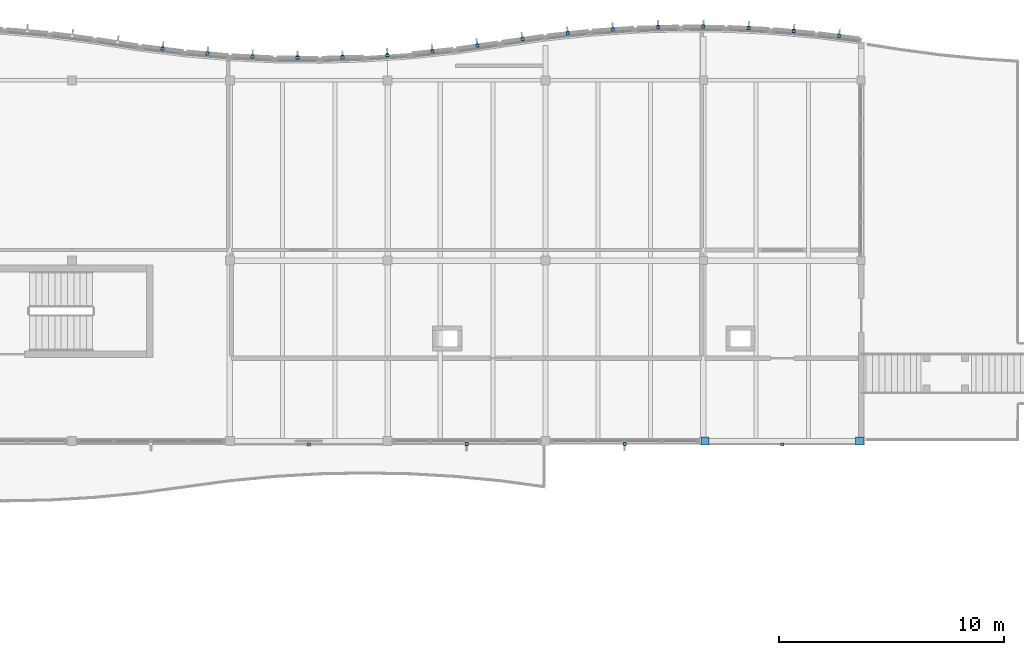
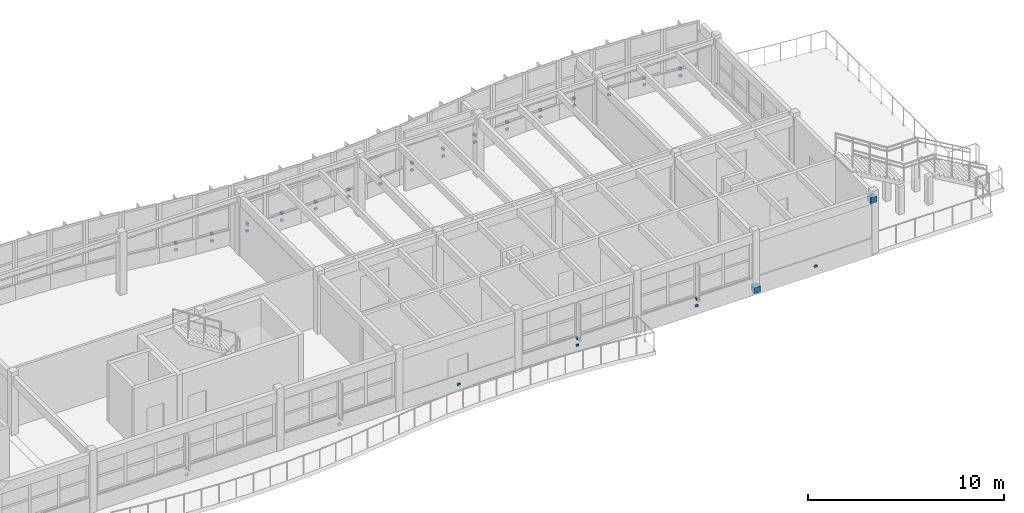
# One storey, part 41 of 52: 40 discrete accessories.
"""IFC4 building model written with IfcOpenShell, lengths in metres."""

from ifc_helpers import new_model, si_unit, direction, frame, origin, origin_2d, place, context, subcontext, project, spatial, rectangle, extrude, material, type_object, element, save


model = new_model("IFC4")

# Units and contexts
model_context = context("Model", 3, precision=1e-05, world=origin(), true_north=direction((0.0, 1.0)))
body_context = subcontext(model_context, "Body", "Model", "MODEL_VIEW")
ifc_project = project(units=[si_unit("LENGTHUNIT", "METRE"), si_unit("AREAUNIT", "SQUARE_METRE"), si_unit("VOLUMEUNIT", "CUBIC_METRE"), si_unit("PLANEANGLEUNIT", "RADIAN"), si_unit("MASSUNIT", "GRAM", prefix="KILO")], contexts=[model_context])

# Site, building, storey
site_placement = place(None, origin())
site = spatial("IfcSite", under=ifc_project, at=site_placement, CompositionType="ELEMENT")
building_placement = place(site_placement, origin())
building = spatial("IfcBuilding", under=site, at=building_placement, Name="Tonlespit Floodbar School", CompositionType="ELEMENT")
storey_placement = place(building_placement, frame((0.0, 0.0, 12.300048828125)))
storey = spatial("IfcBuildingStorey", under=building, at=storey_placement, Name="L03", CompositionType="ELEMENT", Elevation=12.300048828125)

# Discrete accessories
ifc_material_1 = material(Name="Galvanised Steel", Category="steel")
discrete_accessory_type_1 = type_object("IfcDiscreteAccessoryType", Name="Bracket_Facade_S355", PredefinedType="BRACKET", material=ifc_material_1)
discrete_accessory_1_placement = place(storey_placement, frame((131.016357421875, 121.397216796875, 0.35498046875), z_axis=(0.0, 0.0, 1.0), x_axis=(0.99215533612, -0.125011155539, 0.0)))
element("IfcDiscreteAccessory", 1, at=discrete_accessory_1_placement, inside=storey, type_object=discrete_accessory_type_1, Name="L03 white band support bracket 0704", PredefinedType="BRACKET", context=body_context, shape_type="SweptSolid", body=[
    extrude(rectangle(XDim=0.159912109375, YDim=0.1201171875, at=origin_2d()), origin(), (0.0, 0.0, 1.0), 0.1201171875),
])
discrete_accessory_2_placement = place(storey_placement, frame((131.017578125, 121.4072265625, 0.77978515625), z_axis=(0.0, 0.0, 1.0), x_axis=(0.99215533612, -0.125011155539, 0.0)))
element("IfcDiscreteAccessory", 2, at=discrete_accessory_2_placement, inside=storey, type_object=discrete_accessory_type_1, Name="Solar fin support bracket 305", PredefinedType="BRACKET", context=body_context, shape_type="SweptSolid", body=[
    extrude(rectangle(XDim=0.1201171875, YDim=0.179931640625, at=origin_2d()), origin(), (0.0, 0.0, 1.0), 0.139892578125),
])
discrete_accessory_3_placement = place(storey_placement, frame((133.01123046875, 121.184814453125, 0.35498046875), z_axis=(0.0, 0.0, 1.0), x_axis=(0.996245486492, -0.086573267488, 0.0)))
element("IfcDiscreteAccessory", 3, at=discrete_accessory_3_placement, inside=storey, type_object=discrete_accessory_type_1, Name="L03 white band support bracket 0705", PredefinedType="BRACKET", context=body_context, shape_type="SweptSolid", body=[
    extrude(rectangle(XDim=0.159912109375, YDim=0.1201171875, at=origin_2d()), origin(), (0.0, 0.0, 1.0), 0.1201171875),
])
discrete_accessory_4_placement = place(storey_placement, frame((133.01220703125, 121.19482421875, 0.77978515625), z_axis=(0.0, 0.0, 1.0), x_axis=(0.996245486492, -0.086573267488, 0.0)))
element("IfcDiscreteAccessory", 4, at=discrete_accessory_4_placement, inside=storey, type_object=discrete_accessory_type_1, Name="Solar fin support bracket 306", PredefinedType="BRACKET", context=body_context, shape_type="SweptSolid", body=[
    extrude(rectangle(XDim=0.1201171875, YDim=0.179931640625, at=origin_2d()), origin(), (0.0, 0.0, 1.0), 0.139892578125),
])
discrete_accessory_5_placement = place(storey_placement, frame((135.00634765625, 121.05029296875, 0.35498046875), z_axis=(0.0, 0.0, 1.0), x_axis=(0.998842769234, -0.048094930587, 0.0)))
element("IfcDiscreteAccessory", 5, at=discrete_accessory_5_placement, inside=storey, type_object=discrete_accessory_type_1, Name="L03 white band support bracket 0706", PredefinedType="BRACKET", context=body_context, shape_type="SweptSolid", body=[
    extrude(rectangle(XDim=0.159912109375, YDim=0.1201171875, at=origin_2d()), origin(), (0.0, 0.0, 1.0), 0.1201171875),
])
discrete_accessory_6_placement = place(storey_placement, frame((135.006591796875, 121.060302734375, 0.77978515625), z_axis=(0.0, 0.0, 1.0), x_axis=(0.998842769234, -0.048094930587, 0.0)))
element("IfcDiscreteAccessory", 6, at=discrete_accessory_6_placement, inside=storey, type_object=discrete_accessory_type_1, Name="Solar fin support bracket 307", PredefinedType="BRACKET", context=body_context, shape_type="SweptSolid", body=[
    extrude(rectangle(XDim=0.1201171875, YDim=0.179931640625, at=origin_2d()), origin(), (0.0, 0.0, 1.0), 0.139892578125),
])
discrete_accessory_7_placement = place(storey_placement, frame((137.001220703125, 120.99267578125, 0.35498046875), z_axis=(0.0, 0.0, 1.0), x_axis=(0.999953926969, -0.009599163462, 0.0)))
element("IfcDiscreteAccessory", 7, at=discrete_accessory_7_placement, inside=storey, type_object=discrete_accessory_type_1, Name="L03 white band support bracket 0707", PredefinedType="BRACKET", context=body_context, shape_type="SweptSolid", body=[
    extrude(rectangle(XDim=0.159912109375, YDim=0.1201171875, at=origin_2d()), origin(), (0.0, 0.0, 1.0), 0.1201171875),
])
discrete_accessory_8_placement = place(storey_placement, frame((137.001220703125, 121.002685546875, 0.77978515625), z_axis=(0.0, 0.0, 1.0), x_axis=(0.999953926969, -0.009599163462, 0.0)))
element("IfcDiscreteAccessory", 8, at=discrete_accessory_8_placement, inside=storey, type_object=discrete_accessory_type_1, Name="Solar fin support bracket 308", PredefinedType="BRACKET", context=body_context, shape_type="SweptSolid", body=[
    extrude(rectangle(XDim=0.1201171875, YDim=0.179931640625, at=origin_2d()), origin(), (0.0, 0.0, 1.0), 0.139892578125),
])
discrete_accessory_9_placement = place(storey_placement, frame((138.996337890625, 121.01171875, 0.35498046875), z_axis=(0.0, 0.0, 1.0), x_axis=(0.999584110869, 0.02883756748, 0.0)))
element("IfcDiscreteAccessory", 9, at=discrete_accessory_9_placement, inside=storey, type_object=discrete_accessory_type_1, Name="L03 white band support bracket 0708", PredefinedType="BRACKET", context=body_context, shape_type="SweptSolid", body=[
    extrude(rectangle(XDim=0.159912109375, YDim=0.1201171875, at=origin_2d()), origin(), (0.0, 0.0, 1.0), 0.1201171875),
])
discrete_accessory_10_placement = place(storey_placement, frame((138.99609375, 121.021728515625, 0.77978515625), z_axis=(0.0, 0.0, 1.0), x_axis=(0.999584110869, 0.02883756748, 0.0)))
element("IfcDiscreteAccessory", 10, at=discrete_accessory_10_placement, inside=storey, type_object=discrete_accessory_type_1, Name="Solar fin support bracket 309", PredefinedType="BRACKET", context=body_context, shape_type="SweptSolid", body=[
    extrude(rectangle(XDim=0.1201171875, YDim=0.179931640625, at=origin_2d()), origin(), (0.0, 0.0, 1.0), 0.139892578125),
])
discrete_accessory_11_placement = place(storey_placement, frame((140.9912109375, 121.10791015625, 0.35498046875), z_axis=(0.0, 0.0, 1.0), x_axis=(0.997729639049, 0.067346621018, 0.0)))
element("IfcDiscreteAccessory", 11, at=discrete_accessory_11_placement, inside=storey, type_object=discrete_accessory_type_1, Name="L03 white band support bracket 0709", PredefinedType="BRACKET", context=body_context, shape_type="SweptSolid", body=[
    extrude(rectangle(XDim=0.159912109375, YDim=0.1201171875, at=origin_2d()), origin(), (0.0, 0.0, 1.0), 0.1201171875),
])
discrete_accessory_12_placement = place(storey_placement, frame((140.990478515625, 121.117919921875, 0.77978515625), z_axis=(0.0, 0.0, 1.0), x_axis=(0.997729639049, 0.067346621018, 0.0)))
element("IfcDiscreteAccessory", 12, at=discrete_accessory_12_placement, inside=storey, type_object=discrete_accessory_type_1, Name="Solar fin support bracket 310", PredefinedType="BRACKET", context=body_context, shape_type="SweptSolid", body=[
    extrude(rectangle(XDim=0.1201171875, YDim=0.179931640625, at=origin_2d()), origin(), (0.0, 0.0, 1.0), 0.139892578125),
])
discrete_accessory_13_placement = place(storey_placement, frame((142.986328125, 121.28125, 0.35498046875), z_axis=(0.0, 0.0, 1.0), x_axis=(0.99439234017, 0.105753835922, 0.0)))
element("IfcDiscreteAccessory", 13, at=discrete_accessory_13_placement, inside=storey, type_object=discrete_accessory_type_1, Name="L03 white band support bracket 0710", PredefinedType="BRACKET", context=body_context, shape_type="SweptSolid", body=[
    extrude(rectangle(XDim=0.159912109375, YDim=0.1201171875, at=origin_2d()), origin(), (0.0, 0.0, 1.0), 0.1201171875),
])
discrete_accessory_14_placement = place(storey_placement, frame((142.985107421875, 121.291259765625, 0.77978515625), z_axis=(0.0, 0.0, 1.0), x_axis=(0.99439234017, 0.105753835922, 0.0)))
element("IfcDiscreteAccessory", 14, at=discrete_accessory_14_placement, inside=storey, type_object=discrete_accessory_type_1, Name="Solar fin support bracket 311", PredefinedType="BRACKET", context=body_context, shape_type="SweptSolid", body=[
    extrude(rectangle(XDim=0.1201171875, YDim=0.179931640625, at=origin_2d()), origin(), (0.0, 0.0, 1.0), 0.139892578125),
])
discrete_accessory_15_placement = place(storey_placement, frame((144.981201171875, 121.53271484375, 0.35498046875), z_axis=(0.0, 0.0, 1.0), x_axis=(0.989537627347, 0.144275029245, 0.0)))
element("IfcDiscreteAccessory", 15, at=discrete_accessory_15_placement, inside=storey, type_object=discrete_accessory_type_1, Name="L03 white band support bracket 0711", PredefinedType="BRACKET", context=body_context, shape_type="SweptSolid", body=[
    extrude(rectangle(XDim=0.159912109375, YDim=0.1201171875, at=origin_2d()), origin(), (0.0, 0.0, 1.0), 0.1201171875),
])
discrete_accessory_16_placement = place(storey_placement, frame((144.979736328125, 121.542724609375, 0.77978515625), z_axis=(0.0, 0.0, 1.0), x_axis=(0.989537627347, 0.144275029245, 0.0)))
element("IfcDiscreteAccessory", 16, at=discrete_accessory_16_placement, inside=storey, type_object=discrete_accessory_type_1, Name="Solar fin support bracket 312", PredefinedType="BRACKET", context=body_context, shape_type="SweptSolid", body=[
    extrude(rectangle(XDim=0.1201171875, YDim=0.179931640625, at=origin_2d()), origin(), (0.0, 0.0, 1.0), 0.139892578125),
])
discrete_accessory_17_placement = place(storey_placement, frame((146.981201171875, 121.824462890625, 0.35498046875), z_axis=(0.0, 0.0, 1.0), x_axis=(0.989537627347, 0.144275029245, 0.0)))
element("IfcDiscreteAccessory", 17, at=discrete_accessory_17_placement, inside=storey, type_object=discrete_accessory_type_1, Name="L03 white band support bracket 0712", PredefinedType="BRACKET", context=body_context, shape_type="SweptSolid", body=[
    extrude(rectangle(XDim=0.159912109375, YDim=0.1201171875, at=origin_2d()), origin(), (0.0, 0.0, 1.0), 0.1201171875),
])
discrete_accessory_18_placement = place(storey_placement, frame((146.979736328125, 121.834228515625, 0.77978515625), z_axis=(0.0, 0.0, 1.0), x_axis=(0.989537627347, 0.144275029245, 0.0)))
element("IfcDiscreteAccessory", 18, at=discrete_accessory_18_placement, inside=storey, type_object=discrete_accessory_type_1, Name="Solar fin support bracket 313", PredefinedType="BRACKET", context=body_context, shape_type="SweptSolid", body=[
    extrude(rectangle(XDim=0.1201171875, YDim=0.179931640625, at=origin_2d()), origin(), (0.0, 0.0, 1.0), 0.139892578125),
])
discrete_accessory_19_placement = place(storey_placement, frame((148.986328125, 122.0771484375, 0.35498046875), z_axis=(0.0, 0.0, 1.0), x_axis=(0.99439234017, 0.105753835922, 0.0)))
element("IfcDiscreteAccessory", 19, at=discrete_accessory_19_placement, inside=storey, type_object=discrete_accessory_type_1, Name="L03 white band support bracket 0713", PredefinedType="BRACKET", context=body_context, shape_type="SweptSolid", body=[
    extrude(rectangle(XDim=0.159912109375, YDim=0.1201171875, at=origin_2d()), origin(), (0.0, 0.0, 1.0), 0.1201171875),
])
discrete_accessory_20_placement = place(storey_placement, frame((148.985107421875, 122.087158203125, 0.77978515625), z_axis=(0.0, 0.0, 1.0), x_axis=(0.99439234017, 0.105753835922, 0.0)))
element("IfcDiscreteAccessory", 20, at=discrete_accessory_20_placement, inside=storey, type_object=discrete_accessory_type_1, Name="Solar fin support bracket 314", PredefinedType="BRACKET", context=body_context, shape_type="SweptSolid", body=[
    extrude(rectangle(XDim=0.1201171875, YDim=0.179931640625, at=origin_2d()), origin(), (0.0, 0.0, 1.0), 0.139892578125),
])
discrete_accessory_21_placement = place(storey_placement, frame((150.9912109375, 122.25146484375, 0.35498046875), z_axis=(0.0, 0.0, 1.0), x_axis=(0.997729639049, 0.067346621018, 0.0)))
element("IfcDiscreteAccessory", 21, at=discrete_accessory_21_placement, inside=storey, type_object=discrete_accessory_type_1, Name="L03 white band support bracket 0714", PredefinedType="BRACKET", context=body_context, shape_type="SweptSolid", body=[
    extrude(rectangle(XDim=0.159912109375, YDim=0.1201171875, at=origin_2d()), origin(), (0.0, 0.0, 1.0), 0.1201171875),
])
discrete_accessory_22_placement = place(storey_placement, frame((150.990478515625, 122.261474609375, 0.77978515625), z_axis=(0.0, 0.0, 1.0), x_axis=(0.997729639049, 0.067346621018, 0.0)))
element("IfcDiscreteAccessory", 22, at=discrete_accessory_22_placement, inside=storey, type_object=discrete_accessory_type_1, Name="Solar fin support bracket 315", PredefinedType="BRACKET", context=body_context, shape_type="SweptSolid", body=[
    extrude(rectangle(XDim=0.1201171875, YDim=0.179931640625, at=origin_2d()), origin(), (0.0, 0.0, 1.0), 0.139892578125),
])
discrete_accessory_23_placement = place(storey_placement, frame((152.996337890625, 122.34814453125, 0.35498046875), z_axis=(0.0, 0.0, 1.0), x_axis=(0.999584110869, 0.02883756748, 0.0)))
element("IfcDiscreteAccessory", 23, at=discrete_accessory_23_placement, inside=storey, type_object=discrete_accessory_type_1, Name="L03 white band support bracket 0715", PredefinedType="BRACKET", context=body_context, shape_type="SweptSolid", body=[
    extrude(rectangle(XDim=0.159912109375, YDim=0.1201171875, at=origin_2d()), origin(), (0.0, 0.0, 1.0), 0.1201171875),
])
discrete_accessory_24_placement = place(storey_placement, frame((152.99609375, 122.358154296875, 0.77978515625), z_axis=(0.0, 0.0, 1.0), x_axis=(0.999584110869, 0.02883756748, 0.0)))
element("IfcDiscreteAccessory", 24, at=discrete_accessory_24_placement, inside=storey, type_object=discrete_accessory_type_1, Name="Solar fin support bracket 316", PredefinedType="BRACKET", context=body_context, shape_type="SweptSolid", body=[
    extrude(rectangle(XDim=0.1201171875, YDim=0.179931640625, at=origin_2d()), origin(), (0.0, 0.0, 1.0), 0.139892578125),
])
discrete_accessory_25_placement = place(storey_placement, frame((155.001220703125, 122.367431640625, 0.35498046875), z_axis=(0.0, 0.0, 1.0), x_axis=(0.999953926969, -0.009599163462, 0.0)))
element("IfcDiscreteAccessory", 25, at=discrete_accessory_25_placement, inside=storey, type_object=discrete_accessory_type_1, Name="L03 white band support bracket 0716", PredefinedType="BRACKET", context=body_context, shape_type="SweptSolid", body=[
    extrude(rectangle(XDim=0.159912109375, YDim=0.1201171875, at=origin_2d()), origin(), (0.0, 0.0, 1.0), 0.1201171875),
])
discrete_accessory_26_placement = place(storey_placement, frame((155.001220703125, 122.37744140625, 0.77978515625), z_axis=(0.0, 0.0, 1.0), x_axis=(0.999953926969, -0.009599163462, 0.0)))
element("IfcDiscreteAccessory", 26, at=discrete_accessory_26_placement, inside=storey, type_object=discrete_accessory_type_1, Name="Solar fin support bracket 317", PredefinedType="BRACKET", context=body_context, shape_type="SweptSolid", body=[
    extrude(rectangle(XDim=0.1201171875, YDim=0.179931640625, at=origin_2d()), origin(), (0.0, 0.0, 1.0), 0.139892578125),
])
discrete_accessory_27_placement = place(storey_placement, frame((157.00634765625, 122.3095703125, 0.35498046875), z_axis=(0.0, 0.0, 1.0), x_axis=(0.998842769234, -0.048094930587, 0.0)))
element("IfcDiscreteAccessory", 27, at=discrete_accessory_27_placement, inside=storey, type_object=discrete_accessory_type_1, Name="L03 white band support bracket 0717", PredefinedType="BRACKET", context=body_context, shape_type="SweptSolid", body=[
    extrude(rectangle(XDim=0.159912109375, YDim=0.1201171875, at=origin_2d()), origin(), (0.0, 0.0, 1.0), 0.1201171875),
])
discrete_accessory_28_placement = place(storey_placement, frame((157.006591796875, 122.319580078125, 0.77978515625), z_axis=(0.0, 0.0, 1.0), x_axis=(0.998842769234, -0.048094930587, 0.0)))
element("IfcDiscreteAccessory", 28, at=discrete_accessory_28_placement, inside=storey, type_object=discrete_accessory_type_1, Name="Solar fin support bracket 318", PredefinedType="BRACKET", context=body_context, shape_type="SweptSolid", body=[
    extrude(rectangle(XDim=0.1201171875, YDim=0.179931640625, at=origin_2d()), origin(), (0.0, 0.0, 1.0), 0.139892578125),
])
discrete_accessory_29_placement = place(storey_placement, frame((159.01123046875, 122.174072265625, 0.35498046875), z_axis=(0.0, 0.0, 1.0), x_axis=(0.996245486492, -0.086573267488, 0.0)))
element("IfcDiscreteAccessory", 29, at=discrete_accessory_29_placement, inside=storey, type_object=discrete_accessory_type_1, Name="L03 white band support bracket 0718", PredefinedType="BRACKET", context=body_context, shape_type="SweptSolid", body=[
    extrude(rectangle(XDim=0.159912109375, YDim=0.1201171875, at=origin_2d()), origin(), (0.0, 0.0, 1.0), 0.1201171875),
])
discrete_accessory_30_placement = place(storey_placement, frame((159.01220703125, 122.18408203125, 0.77978515625), z_axis=(0.0, 0.0, 1.0), x_axis=(0.996245486492, -0.086573267488, 0.0)))
element("IfcDiscreteAccessory", 30, at=discrete_accessory_30_placement, inside=storey, type_object=discrete_accessory_type_1, Name="Solar fin support bracket 319", PredefinedType="BRACKET", context=body_context, shape_type="SweptSolid", body=[
    extrude(rectangle(XDim=0.1201171875, YDim=0.179931640625, at=origin_2d()), origin(), (0.0, 0.0, 1.0), 0.139892578125),
])
discrete_accessory_31_placement = place(storey_placement, frame((161.016357421875, 121.960693359375, 0.35498046875), z_axis=(0.0, 0.0, 1.0), x_axis=(0.99215533612, -0.125011155539, 0.0)))
element("IfcDiscreteAccessory", 31, at=discrete_accessory_31_placement, inside=storey, type_object=discrete_accessory_type_1, Name="L03 white band support bracket 0719", PredefinedType="BRACKET", context=body_context, shape_type="SweptSolid", body=[
    extrude(rectangle(XDim=0.159912109375, YDim=0.1201171875, at=origin_2d()), origin(), (0.0, 0.0, 1.0), 0.1201171875),
])
discrete_accessory_32_placement = place(storey_placement, frame((161.017578125, 121.970703125, 0.77978515625), z_axis=(0.0, 0.0, 1.0), x_axis=(0.99215533612, -0.125011155539, 0.0)))
element("IfcDiscreteAccessory", 32, at=discrete_accessory_32_placement, inside=storey, type_object=discrete_accessory_type_1, Name="Solar fin support bracket 320", PredefinedType="BRACKET", context=body_context, shape_type="SweptSolid", body=[
    extrude(rectangle(XDim=0.1201171875, YDim=0.179931640625, at=origin_2d()), origin(), (0.0, 0.0, 1.0), 0.139892578125),
])
for number, where, z_axis, x_axis, name in (
    (33, (158.5, 103.85009765625, 0.3798828125), (0.0, 0.0, 1.0), (-1.0, 0.0, 0.0), "L03 white band support bracket 0720"),
    (34, (151.510009765625, 103.8701171875, 0.35498046875), (0.0, 0.0, 1.0), (-1.0, 0.0, 0.0), "L03 white band support bracket 0721"),
):
    element("IfcDiscreteAccessory", number, at=place(storey_placement, frame(where, z_axis=z_axis, x_axis=x_axis)), inside=storey, type_object=discrete_accessory_type_1, Name=name, PredefinedType="BRACKET", context=body_context, shape_type="SweptSolid", body=[
        extrude(rectangle(XDim=0.159912109375, YDim=0.1201171875, at=origin_2d()), origin(), (0.0, 0.0, 1.0), 0.1201171875),
    ])
discrete_accessory_33_placement = place(storey_placement, frame((151.510009765625, 103.860107421875, 0.77978515625), z_axis=(0.0, 0.0, 1.0), x_axis=(-1.0, 0.0, 0.0)))
element("IfcDiscreteAccessory", 35, at=discrete_accessory_33_placement, inside=storey, type_object=discrete_accessory_type_1, Name="Solar fin support bracket 321", PredefinedType="BRACKET", context=body_context, shape_type="SweptSolid", body=[
    extrude(rectangle(XDim=0.1201171875, YDim=0.179931640625, at=origin_2d()), origin(), (0.0, 0.0, 1.0), 0.139892578125),
])
discrete_accessory_34_placement = place(storey_placement, frame((144.5, 103.8701171875, 0.35498046875), z_axis=(0.0, 0.0, 1.0), x_axis=(-1.0, 0.0, 0.0)))
element("IfcDiscreteAccessory", 36, at=discrete_accessory_34_placement, inside=storey, type_object=discrete_accessory_type_1, Name="L03 white band support bracket 0722", PredefinedType="BRACKET", context=body_context, shape_type="SweptSolid", body=[
    extrude(rectangle(XDim=0.159912109375, YDim=0.1201171875, at=origin_2d()), origin(), (0.0, 0.0, 1.0), 0.1201171875),
])
discrete_accessory_35_placement = place(storey_placement, frame((144.5, 103.860107421875, 0.77978515625), z_axis=(0.0, 0.0, 1.0), x_axis=(-1.0, 0.0, 0.0)))
element("IfcDiscreteAccessory", 37, at=discrete_accessory_35_placement, inside=storey, type_object=discrete_accessory_type_1, Name="Solar fin support bracket 322", PredefinedType="BRACKET", context=body_context, shape_type="SweptSolid", body=[
    extrude(rectangle(XDim=0.1201171875, YDim=0.179931640625, at=origin_2d()), origin(), (0.0, 0.0, 1.0), 0.139892578125),
])
discrete_accessory_36_placement = place(storey_placement, frame((137.5, 103.85009765625, 0.3798828125), z_axis=(0.0, 0.0, 1.0), x_axis=(-1.0, 0.0, 0.0)))
element("IfcDiscreteAccessory", 38, at=discrete_accessory_36_placement, inside=storey, type_object=discrete_accessory_type_1, Name="L03 white band support bracket 0723", PredefinedType="BRACKET", context=body_context, shape_type="SweptSolid", body=[
    extrude(rectangle(XDim=0.159912109375, YDim=0.1201171875, at=origin_2d()), origin(), (0.0, 0.0, 1.0), 0.1201171875),
])
ifc_material_2 = material(Name="Steel S355", Category="steel")
discrete_accessory_type_2 = type_object("IfcDiscreteAccessoryType", Name="GussetShoe_Brace_S355", PredefinedType="SHOE", material=ifc_material_2)
for number, where, z_axis, x_axis, name in (
    (39, (155.080078125, 104.0, -0.0302734375), (0.0, 0.0, 1.0), (1.0, 0.0, 0.0), "L03 brace and chord end gusset shoe 0045"),
    (40, (161.919921875, 104.0, 3.169921875), (0.0, 0.0, 1.0), (1.0, 0.0, 0.0), "L03 brace and chord end gusset shoe 0046"),
):
    element("IfcDiscreteAccessory", number, at=place(storey_placement, frame(where, z_axis=z_axis, x_axis=x_axis)), inside=storey, type_object=discrete_accessory_type_2, Name=name, PredefinedType="SHOE", context=body_context, shape_type="SweptSolid", body=[
        extrude(rectangle(XDim=0.360107421875, YDim=0.360107421875, at=origin_2d()), origin(), (0.0, 0.0, 1.0), 0.360107421875),
    ])

save(model, "model.ifc")
